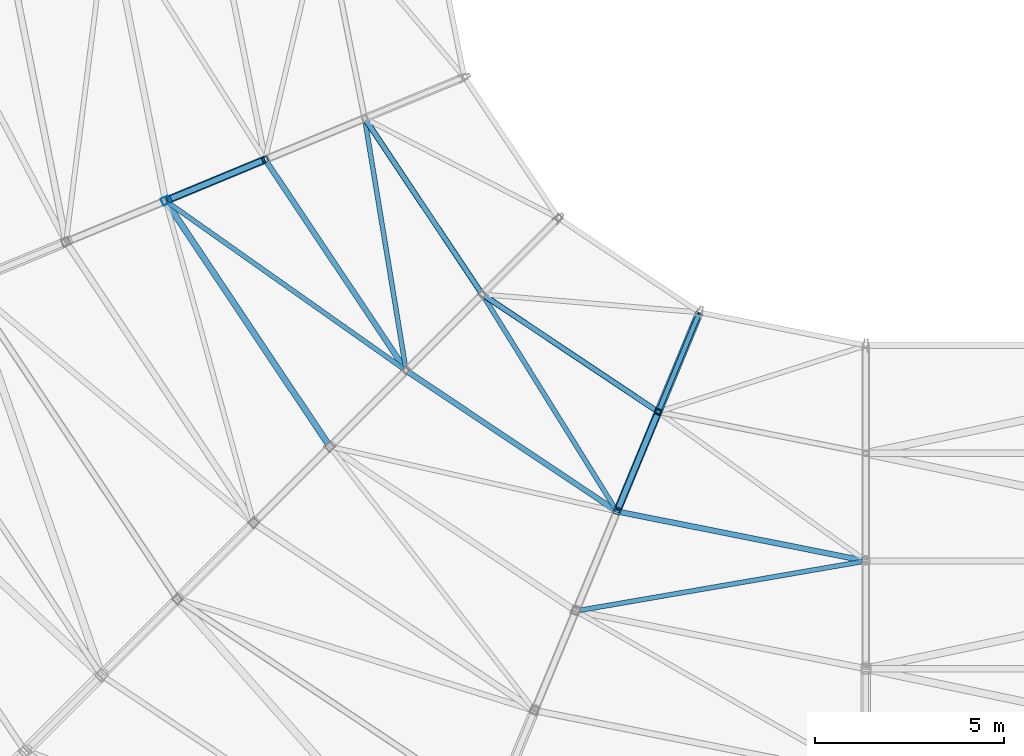
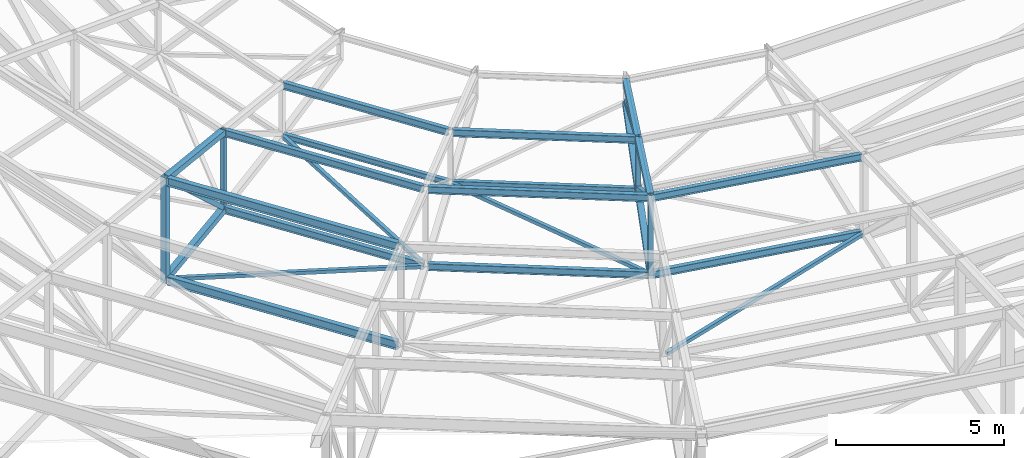
# One storey, part 14 of 278: 19 members, 10 beams.
"""IFC4 building model written with IfcOpenShell, lengths in metres."""

from ifc_helpers import new_model, si_unit, direction, frame, origin, origin_2d, place, context, subcontext, project, spatial, hollow_rectangle, i_section, extrude, material, material_profile, profile_set, type_object, element, save


model = new_model("IFC4")

# Units and contexts
model_context = context("Model", 3, precision=1e-05, world=origin(), true_north=direction((0.0, 1.0)))
body_context = subcontext(model_context, "Body", "Model", "MODEL_VIEW")
ifc_project = project(units=[si_unit("LENGTHUNIT", "METRE"), si_unit("AREAUNIT", "SQUARE_METRE"), si_unit("VOLUMEUNIT", "CUBIC_METRE"), si_unit("PLANEANGLEUNIT", "RADIAN"), si_unit("MASSUNIT", "GRAM", prefix="KILO")], contexts=[model_context])

# Site, building, storey
site_placement = place(None, origin())
site = spatial("IfcSite", under=ifc_project, at=site_placement, CompositionType="ELEMENT")
building_placement = place(site_placement, origin())
building = spatial("IfcBuilding", under=site, at=building_placement, Name="Ogive Plaza Stadium", CompositionType="ELEMENT")
storey_placement = place(building_placement, frame((0.0, 0.0, 29.0)))
storey = spatial("IfcBuildingStorey", under=building, at=storey_placement, Name="Roof", CompositionType="ELEMENT", Elevation=29.0)

# Members
ifc_material_1 = material(Name="Steel ASTM A500 Grade C", Category="steel")
ifc_material_profile_1 = material_profile(ifc_material_1, hollow_rectangle(XDim=0.126953125, YDim=0.126953125, WallThickness=0.005859375, at=origin_2d()), Name="HSS5X5X1/4")
ifc_profile_set_1 = profile_set([ifc_material_profile_1], Name="Steel ASTM A500 Grade C")
member_type_1 = type_object("IfcMemberType", Name="Roof plan brace HSS5X5X1/4", PredefinedType="BRACE", material=ifc_profile_set_1)
member_1_placement = place(storey_placement, frame((-34.082763671875, -69.71435546875, 4.203125), z_axis=(-0.977977485533, -0.168729355142, -0.122843162221), x_axis=(0.170017047815, -0.985441121251, 0.0)))
element("IfcMember", 1, at=member_1_placement, inside=storey, type_object=member_type_1, Name="ROOF BRACE B17 3", PredefinedType="BRACE", context=body_context, shape_type="SweptSolid", body=[
    extrude(hollow_rectangle(XDim=0.126953125, YDim=0.126953125, WallThickness=0.005859375, at=origin_2d()), origin(), (0.0, 0.0, 1.0), 7.629638671875),
])
for number, where, z_axis, x_axis, name in (
    (2, (-44.11376953125, -62.70068359375, 5.295654296875), (0.520585571833, -0.838776078421, -0.159515995024), (0.849655626385, 0.527337952885, 0.0), "ROOF BRACE B18 2"),
    (3, (-47.24755859375, -58.0537109375, 5.295654296875), (0.159991499608, -0.974144447421, -0.159515878869), (0.986779804791, 0.162066704963, 0.0), "ROOF BRACE B19 2"),
):
    element("IfcMember", number, at=place(storey_placement, frame(where, z_axis=z_axis, x_axis=x_axis)), inside=storey, type_object=member_type_1, Name=name, PredefinedType="BRACE", context=body_context, shape_type="SweptSolid", body=[
        extrude(hollow_rectangle(XDim=0.126953125, YDim=0.126953125, WallThickness=0.005859375, at=origin_2d()), origin(), (0.0, 0.0, 1.0), 6.673095703125),
    ])
member_2_placement = place(storey_placement, frame((-46.2099609375, -64.628662109375, 4.206298828125), z_axis=(-0.810840921574, 0.572228855685, -0.12284598741), x_axis=(-0.576596140714, -0.817029308234, 0.0)))
element("IfcMember", 4, at=member_2_placement, inside=storey, type_object=member_type_1, Name="ROOF BRACE B19 3", PredefinedType="BRACE", context=body_context, shape_type="SweptSolid", body=[
    extrude(hollow_rectangle(XDim=0.126953125, YDim=0.126953125, WallThickness=0.005859375, at=origin_2d()), origin(), (0.0, 0.0, 1.0), 7.6552734375),
])
ifc_material_2 = material(Name="Steel ASTM A992 Grade 50", Category="steel")
ifc_material_profile_2 = material_profile(ifc_material_2, i_section(OverallWidth=0.14599609375, OverallDepth=0.25830078125, WebThickness=0.006103515625, FlangeThickness=0.009033203125, at=origin_2d()), Name="W10X22")
ifc_profile_set_2 = profile_set([ifc_material_profile_2], Name="Steel ASTM A992 Grade 50")
member_type_2 = type_object("IfcMemberType", Name="Roof plan strut W10X22", PredefinedType="STRUT", material=ifc_profile_set_2)
member_3_placement = place(storey_placement, frame((-34.08642578125, -69.682861328125, 4.213623046875), z_axis=(-0.980783381188, 0.195099869772, 0.0), x_axis=(-0.195099869772, -0.980783381188, 0.0)))
element("IfcMember", 5, at=member_3_placement, inside=storey, type_object=member_type_2, Name="ROOF STRUT B17 2", PredefinedType="STRUT", context=body_context, shape_type="SweptSolid", body=[
    extrude(i_section(OverallWidth=0.14599609375, OverallDepth=0.25830078125, WebThickness=0.006103515625, FlangeThickness=0.009033203125, at=origin_2d()), origin(), (0.0, 0.0, 1.0), 6.560791015625),
])
for number, where, z_axis, x_axis, name in (
    (6, (-40.6337890625, -68.356201171875, 4.213623046875), (-0.831473916404, 0.555563791422, 0.0), (-0.555563791422, -0.831473916404, 0.0), "ROOF STRUT B18 2"),
    (7, (-46.19677734375, -64.610595703125, 4.213623046875), (-0.555563791422, 0.831473916404, 0.0), (-0.831473916404, -0.555563791422, 0.0), "ROOF STRUT B19 2"),
):
    element("IfcMember", number, at=place(storey_placement, frame(where, z_axis=z_axis, x_axis=x_axis)), inside=storey, type_object=member_type_2, Name=name, PredefinedType="STRUT", context=body_context, shape_type="SweptSolid", body=[
        extrude(i_section(OverallWidth=0.14599609375, OverallDepth=0.25830078125, WebThickness=0.006103515625, FlangeThickness=0.009033203125, at=origin_2d()), origin(), (0.0, 0.0, 1.0), 6.5869140625),
    ])
ifc_material_3 = material(Name="Steel ASTM A992 Grade 50", Category="steel")
ifc_material_profile_3 = material_profile(ifc_material_3, i_section(OverallWidth=0.164794921875, OverallDepth=0.310302734375, WebThickness=0.005859375, FlangeThickness=0.009765625, at=origin_2d()), Name="W12X26")
ifc_profile_set_3 = profile_set([ifc_material_profile_3], Name="Steel ASTM A992 Grade 50")
member_type_3 = type_object("IfcMemberType", Name="Roof plan strut W12X26", PredefinedType="STRUT", material=ifc_profile_set_3)
member_4_placement = place(storey_placement, frame((-48.2275390625, -66.602783203125, 3.249755859375), z_axis=(-0.555562324677, 0.831474896434, 0.0), x_axis=(-0.831474896434, -0.555562324677, 0.0)))
element("IfcMember", 8, at=member_4_placement, inside=storey, type_object=member_type_3, Name="ROOF STRUT B19 3", PredefinedType="STRUT", context=body_context, shape_type="SweptSolid", body=[
    extrude(i_section(OverallWidth=0.164794921875, OverallDepth=0.310302734375, WebThickness=0.005859375, FlangeThickness=0.009765625, at=origin_2d()), origin(), (0.0, 0.0, 1.0), 7.643310546875),
])
ifc_material_4 = material(Name="Steel ASTM A992 Grade 50", Category="steel")
ifc_material_profile_4 = material_profile(ifc_material_4, i_section(OverallWidth=0.13330078125, OverallDepth=0.206787109375, WebThickness=0.005859375, FlangeThickness=0.00830078125, at=origin_2d()), Name="W8X18")
ifc_profile_set_4 = profile_set([ifc_material_profile_4], Name="Steel ASTM A992 Grade 50")
member_type_4 = type_object("IfcMemberType", Name="Roof plan strut W8X18", PredefinedType="STRUT", material=ifc_profile_set_4)
for number, where, z_axis, x_axis, name in (
    (9, (-39.542236328125, -65.723876953125, 5.305908203125), (-0.831460060683, 0.555584527762, 0.0), (-0.555584527762, -0.831460060683, 0.0), "ROOF STRUT B18 1"),
    (10, (-44.180908203125, -62.59619140625, 5.305908203125), (-0.555584527762, 0.831460060683, 0.0), (-0.831460060683, -0.555584527762, 0.0), "ROOF STRUT B19 1"),
):
    element("IfcMember", number, at=place(storey_placement, frame(where, z_axis=z_axis, x_axis=x_axis)), inside=storey, type_object=member_type_4, Name=name, PredefinedType="STRUT", context=body_context, shape_type="SweptSolid", body=[
        extrude(i_section(OverallWidth=0.13330078125, OverallDepth=0.206787109375, WebThickness=0.005859375, FlangeThickness=0.00830078125, at=origin_2d()), origin(), (0.0, 0.0, 1.0), 5.47705078125),
    ])
ifc_material_5 = material(Name="Steel ASTM A992 Grade 50", Category="steel")
ifc_material_profile_5 = material_profile(ifc_material_5, i_section(OverallWidth=0.14599609375, OverallDepth=0.25830078125, WebThickness=0.006103515625, FlangeThickness=0.009033203125, at=origin_2d()), Name="W10X22")
ifc_profile_set_5 = profile_set([ifc_material_profile_5], Name="Steel ASTM A992 Grade 50")
member_type_5 = type_object("IfcMemberType", Name="Roof purlin W10X22", PredefinedType="PURLIN", material=ifc_profile_set_5)
member_5_placement = place(storey_placement, frame((-34.08642578125, -69.682861328125, 7.0107421875), z_axis=(-0.980783381188, 0.195099869772, 0.0), x_axis=(-0.195099869772, -0.980783381188, 0.0)))
element("IfcMember", 11, at=member_5_placement, inside=storey, type_object=member_type_5, Name="ROOF PURLIN B17 2", PredefinedType="PURLIN", context=body_context, shape_type="SweptSolid", body=[
    extrude(i_section(OverallWidth=0.14599609375, OverallDepth=0.25830078125, WebThickness=0.006103515625, FlangeThickness=0.009033203125, at=origin_2d()), origin(), (0.0, 0.0, 1.0), 6.560791015625),
])
member_6_placement = place(storey_placement, frame((-39.543212890625, -65.72314453125, 7.1533203125), z_axis=(-0.831473540822, 0.55556435353, 0.0), x_axis=(-0.55556435353, -0.831473540822, 0.0)))
element("IfcMember", 12, at=member_6_placement, inside=storey, type_object=member_type_5, Name="ROOF PURLIN B18 1", PredefinedType="PURLIN", context=body_context, shape_type="SweptSolid", body=[
    extrude(i_section(OverallWidth=0.14599609375, OverallDepth=0.25830078125, WebThickness=0.006103515625, FlangeThickness=0.009033203125, at=origin_2d()), origin(), (0.0, 0.0, 1.0), 5.474609375),
])
member_7_placement = place(storey_placement, frame((-40.6337890625, -68.356201171875, 7.0107421875), z_axis=(-0.831473916404, 0.555563791422, 0.0), x_axis=(-0.555563791422, -0.831473916404, 0.0)))
element("IfcMember", 13, at=member_7_placement, inside=storey, type_object=member_type_5, Name="ROOF PURLIN B18 2", PredefinedType="PURLIN", context=body_context, shape_type="SweptSolid", body=[
    extrude(i_section(OverallWidth=0.14599609375, OverallDepth=0.25830078125, WebThickness=0.006103515625, FlangeThickness=0.009033203125, at=origin_2d()), origin(), (0.0, 0.0, 1.0), 6.5869140625),
])
member_8_placement = place(storey_placement, frame((-44.181640625, -62.59521484375, 7.1533203125), z_axis=(-0.55556435353, 0.831473540822, 0.0), x_axis=(-0.831473540822, -0.55556435353, 0.0)))
element("IfcMember", 14, at=member_8_placement, inside=storey, type_object=member_type_5, Name="ROOF PURLIN B19 1", PredefinedType="PURLIN", context=body_context, shape_type="SweptSolid", body=[
    extrude(i_section(OverallWidth=0.14599609375, OverallDepth=0.25830078125, WebThickness=0.006103515625, FlangeThickness=0.009033203125, at=origin_2d()), origin(), (0.0, 0.0, 1.0), 5.474609375),
])
member_9_placement = place(storey_placement, frame((-46.19677734375, -64.610595703125, 7.0107421875), z_axis=(-0.555563791422, 0.831473916404, 0.0), x_axis=(-0.831473916404, -0.555563791422, 0.0)))
element("IfcMember", 15, at=member_9_placement, inside=storey, type_object=member_type_5, Name="ROOF PURLIN B19 2", PredefinedType="PURLIN", context=body_context, shape_type="SweptSolid", body=[
    extrude(i_section(OverallWidth=0.14599609375, OverallDepth=0.25830078125, WebThickness=0.006103515625, FlangeThickness=0.009033203125, at=origin_2d()), origin(), (0.0, 0.0, 1.0), 6.5869140625),
])
ifc_material_6 = material(Name="Steel ASTM A992 Grade 50", Category="steel")
ifc_material_profile_6 = material_profile(ifc_material_6, i_section(OverallWidth=0.164794921875, OverallDepth=0.310302734375, WebThickness=0.005859375, FlangeThickness=0.009765625, at=origin_2d()), Name="W12X26")
ifc_profile_set_6 = profile_set([ifc_material_profile_6], Name="Steel ASTM A992 Grade 50")
member_type_6 = type_object("IfcMemberType", Name="Roof purlin W12X26", PredefinedType="PURLIN", material=ifc_profile_set_6)
member_10_placement = place(storey_placement, frame((-48.2275390625, -66.602783203125, 6.84228515625), z_axis=(-0.555562324677, 0.831474896434, 0.0), x_axis=(-0.831474896434, -0.555562324677, 0.0)))
element("IfcMember", 16, at=member_10_placement, inside=storey, type_object=member_type_6, Name="ROOF PURLIN B19 3", PredefinedType="PURLIN", context=body_context, shape_type="SweptSolid", body=[
    extrude(i_section(OverallWidth=0.164794921875, OverallDepth=0.310302734375, WebThickness=0.005859375, FlangeThickness=0.009765625, at=origin_2d()), origin(), (0.0, 0.0, 1.0), 7.643310546875),
])

# Beams
ifc_material_7 = material(Name="Steel ASTM A500 Grade C", Category="steel")
ifc_material_profile_7 = material_profile(ifc_material_7, hollow_rectangle(XDim=0.203125, YDim=0.203125, WallThickness=0.01171875, at=origin_2d()), Name="HSS8X8X1/2")
ifc_profile_set_7 = profile_set([ifc_material_profile_7], Name="Steel ASTM A500 Grade C")
beam_type_1 = type_object("IfcBeamType", Name="Roof truss bottom chord HSS8X8X1/2", PredefinedType="BEAM", material=ifc_profile_set_7)
beam_1_placement = place(storey_placement, frame((-38.416259765625, -63.16162109375, 6.518310546875), z_axis=(-0.351765143459, -0.849251260717, -0.393743038055), x_axis=(0.923881935076, -0.382677632008, 0.0)))
element("IfcBeam", 17, at=beam_1_placement, inside=storey, type_object=beam_type_1, Name="ROOF TRUSS T18 BOTTOM CHORD 1", PredefinedType="BEAM", context=body_context, shape_type="SweptSolid", body=[
    extrude(hollow_rectangle(XDim=0.203125, YDim=0.203125, WallThickness=0.01171875, at=origin_2d()), origin(), (0.0, 0.0, 1.0), 3.047607421875),
])
beam_2_placement = place(storey_placement, frame((-39.50537109375, -65.791259765625, 5.299072265625), z_axis=(-0.357350015784, -0.862700869161, -0.357838198866), x_axis=(0.923876649068, -0.38269039354, 0.0)))
element("IfcBeam", 18, at=beam_2_placement, inside=storey, type_object=beam_type_1, Name="ROOF TRUSS T18 BOTTOM CHORD 2", PredefinedType="BEAM", context=body_context, shape_type="SweptSolid", body=[
    extrude(hollow_rectangle(XDim=0.203125, YDim=0.203125, WallThickness=0.01171875, at=origin_2d()), origin(), (0.0, 0.0, 1.0), 3.00048828125),
])
beam_3_placement = place(storey_placement, frame((-49.9208984375, -59.0947265625, 4.208251953125), z_axis=(-0.875211905582, -0.362478322525, -0.320333554327), x_axis=(0.382641697258, -0.923896818654, 0.0)))
element("IfcBeam", 19, at=beam_3_placement, inside=storey, type_object=beam_type_1, Name="ROOF TRUSS T20 BOTTOM CHORD 3", PredefinedType="BEAM", context=body_context, shape_type="SweptSolid", body=[
    extrude(hollow_rectangle(XDim=0.203125, YDim=0.203125, WallThickness=0.01171875, at=origin_2d()), origin(), (0.0, 0.0, 1.0), 2.93115234375),
])

# Members
ifc_material_8 = material(Name="Steel ASTM A500 Grade C", Category="steel")
ifc_material_profile_8 = material_profile(ifc_material_8, hollow_rectangle(XDim=0.126953125, YDim=0.126953125, WallThickness=0.005859375, at=origin_2d()), Name="HSS5X5X1/4")
ifc_profile_set_8 = profile_set([ifc_material_profile_8], Name="Steel ASTM A500 Grade C")
member_type_7 = type_object("IfcMemberType", Name="Roof truss diagonal HSS5X5X1/4", PredefinedType="BRACE", material=ifc_profile_set_8)
member_11_placement = place(storey_placement, frame((-38.429931640625, -63.195068359375, 6.628173828125), z_axis=(-0.377494789927, -0.911200476609, 0.164958706972), x_axis=(0.923856877937, -0.382738120768, 0.0)))
element("IfcMember", 20, at=member_11_placement, inside=storey, type_object=member_type_7, Name="ROOF TRUSS T18 DIAGONAL 1", PredefinedType="BRACE", context=body_context, shape_type="SweptSolid", body=[
    extrude(hollow_rectangle(XDim=0.126953125, YDim=0.126953125, WallThickness=0.005859375, at=origin_2d()), origin(), (0.0, 0.0, 1.0), 2.735107421875),
])
ifc_material_9 = material(Name="Steel ASTM A500 Grade C", Category="steel")
ifc_material_profile_9 = material_profile(ifc_material_9, hollow_rectangle(XDim=0.15234375, YDim=0.15234375, WallThickness=0.005859375, at=origin_2d()), Name="HSS6X6X1/4")
ifc_profile_set_9 = profile_set([ifc_material_profile_9], Name="Steel ASTM A500 Grade C")
member_type_8 = type_object("IfcMemberType", Name="Roof truss diagonal HSS6X6X1/4", PredefinedType="BRACE", material=ifc_profile_set_9)
member_12_placement = place(storey_placement, frame((-39.520751953125, -65.828125, 5.407470703125), z_axis=(-0.332885582198, -0.803712399025, 0.493187153947), x_axis=(0.923888877324, -0.382660871212, 0.0)))
element("IfcMember", 21, at=member_12_placement, inside=storey, type_object=member_type_8, Name="ROOF TRUSS T18 DIAGONAL 2", PredefinedType="BRACE", context=body_context, shape_type="SweptSolid", body=[
    extrude(hollow_rectangle(XDim=0.15234375, YDim=0.15234375, WallThickness=0.005859375, at=origin_2d()), origin(), (0.0, 0.0, 1.0), 3.100830078125),
])
member_13_placement = place(storey_placement, frame((-49.961181640625, -59.111328125, 4.315185546875), z_axis=(-0.677295435038, -0.280576599819, 0.680108568767), x_axis=(0.382720275855, -0.923864270577, 0.0)))
element("IfcMember", 22, at=member_13_placement, inside=storey, type_object=member_type_8, Name="ROOF TRUSS T20 DIAGONAL 3", PredefinedType="BRACE", context=body_context, shape_type="SweptSolid", body=[
    extrude(hollow_rectangle(XDim=0.15234375, YDim=0.15234375, WallThickness=0.005859375, at=origin_2d()), origin(), (0.0, 0.0, 1.0), 3.64501953125),
])

# Beams
ifc_material_10 = material(Name="Steel ASTM A500 Grade C", Category="steel")
ifc_material_profile_10 = material_profile(ifc_material_10, hollow_rectangle(XDim=0.15234375, YDim=0.15234375, WallThickness=0.0087890625, at=origin_2d()), Name="HSS6X6X3/8")
ifc_profile_set_10 = profile_set([ifc_material_profile_10], Name="Steel ASTM A500 Grade C")
beam_type_2 = type_object("IfcBeamType", Name="Roof truss post HSS6X6X3/8", PredefinedType="BEAM", material=ifc_profile_set_10)
beam_4_placement = place(storey_placement, frame((-39.491455078125, -65.757568359375, 5.204345703125), z_axis=(0.0, 0.0, 1.0), x_axis=(0.923879532511, -0.382683432365, 0.0)))
element("IfcBeam", 23, at=beam_4_placement, inside=storey, type_object=beam_type_2, Name="ROOF TRUSS T18 POST 2", PredefinedType="BEAM", context=body_context, shape_type="SweptSolid", body=[
    extrude(hollow_rectangle(XDim=0.15234375, YDim=0.15234375, WallThickness=0.0087890625, at=origin_2d()), origin(), (0.0, 0.0, 1.0), 2.078125),
])
for number, where, z_axis, x_axis, name in (
    (24, (-40.582275390625, -68.390625, 4.112060546875), (0.0, 0.0, 1.0), (0.923879532511, -0.382683432365, 0.0), "ROOF TRUSS T18 POST 3"),
    (25, (-49.890625, -59.082275390625, 4.112060546875), (0.0, 0.0, 1.0), (0.382683432365, -0.923879532511, 0.0), "ROOF TRUSS T20 POST 3"),
):
    element("IfcBeam", number, at=place(storey_placement, frame(where, z_axis=z_axis, x_axis=x_axis)), inside=storey, type_object=beam_type_2, Name=name, PredefinedType="BEAM", context=body_context, shape_type="SweptSolid", body=[
        extrude(hollow_rectangle(XDim=0.15234375, YDim=0.15234375, WallThickness=0.0087890625, at=origin_2d()), origin(), (0.0, 0.0, 1.0), 3.02783203125),
    ])
ifc_material_11 = material(Name="Steel ASTM A500 Grade C", Category="steel")
ifc_material_profile_11 = material_profile(ifc_material_11, hollow_rectangle(XDim=0.203125, YDim=0.203125, WallThickness=0.0087890625, at=origin_2d()), Name="HSS8X8X3/8")
ifc_profile_set_11 = profile_set([ifc_material_profile_11], Name="Steel ASTM A500 Grade C")
beam_type_3 = type_object("IfcBeamType", Name="Roof truss post HSS8X8X3/8", PredefinedType="BEAM", material=ifc_profile_set_11)
beam_5_placement = place(storey_placement, frame((-52.523681640625, -60.1728515625, 3.148193359375), z_axis=(0.0, 0.0, 1.0), x_axis=(0.382683432365, -0.923879532511, 0.0)))
element("IfcBeam", 26, at=beam_5_placement, inside=storey, type_object=beam_type_3, Name="ROOF TRUSS T20 POST 4", PredefinedType="BEAM", context=body_context, shape_type="SweptSolid", body=[
    extrude(hollow_rectangle(XDim=0.203125, YDim=0.203125, WallThickness=0.0087890625, at=origin_2d()), origin(), (0.0, 0.0, 1.0), 3.849365234375),
])
ifc_material_12 = material(Name="Steel ASTM A500 Grade C", Category="steel")
ifc_material_profile_12 = material_profile(ifc_material_12, hollow_rectangle(XDim=0.203125, YDim=0.203125, WallThickness=0.0087890625, at=origin_2d()), Name="HSS8X8X3/8")
ifc_profile_set_12 = profile_set([ifc_material_profile_12], Name="Steel ASTM A500 Grade C")
beam_type_4 = type_object("IfcBeamType", Name="Roof truss top chord HSS8X8X3/8", PredefinedType="BEAM", material=ifc_profile_set_12)
for number, where, z_axis, x_axis, name in (
    (27, (-38.41650390625, -63.16259765625, 7.3212890625), (-0.382245373816, -0.922709851429, -0.049950017735), (0.923863092395, -0.382723119906, 0.0), "ROOF TRUSS T18 TOP CHORD 1"),
    (28, (-39.50732421875, -65.795654296875, 7.1787109375), (-0.382170146482, -0.922740920758, -0.049951699644), (0.923894278368, -0.382647830777, 0.0), "ROOF TRUSS T18 TOP CHORD 2"),
):
    element("IfcBeam", number, at=place(storey_placement, frame(where, z_axis=z_axis, x_axis=x_axis)), inside=storey, type_object=beam_type_4, Name=name, PredefinedType="BEAM", context=body_context, shape_type="SweptSolid", body=[
        extrude(hollow_rectangle(XDim=0.203125, YDim=0.203125, WallThickness=0.0087890625, at=origin_2d()), origin(), (0.0, 0.0, 1.0), 2.771240234375),
    ])
beam_6_placement = place(storey_placement, frame((-49.9287109375, -59.097900390625, 7.0361328125), z_axis=(-0.922739022917, -0.382176583821, -0.049937504593), x_axis=(0.382654004196, -0.923891721509, 0.0)))
element("IfcBeam", 29, at=beam_6_placement, inside=storey, type_object=beam_type_4, Name="ROOF TRUSS T20 TOP CHORD 3", PredefinedType="BEAM", context=body_context, shape_type="SweptSolid", body=[
    extrude(hollow_rectangle(XDim=0.203125, YDim=0.203125, WallThickness=0.0087890625, at=origin_2d()), origin(), (0.0, 0.0, 1.0), 2.76220703125),
])

save(model, "model.ifc")
